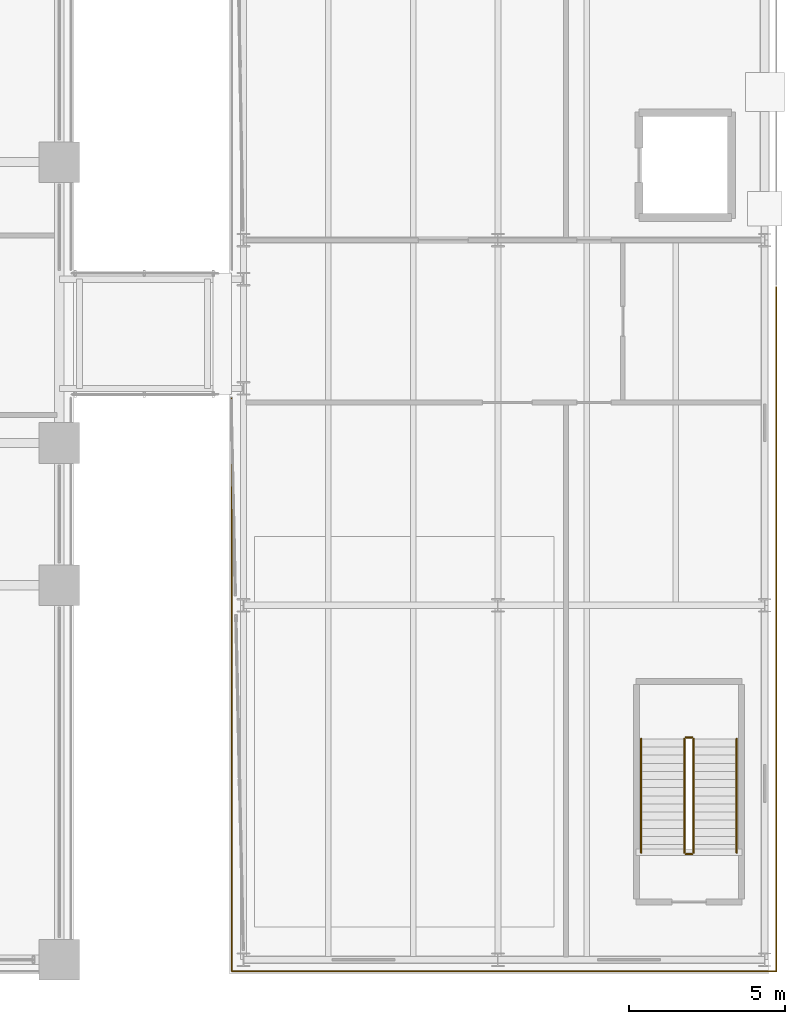
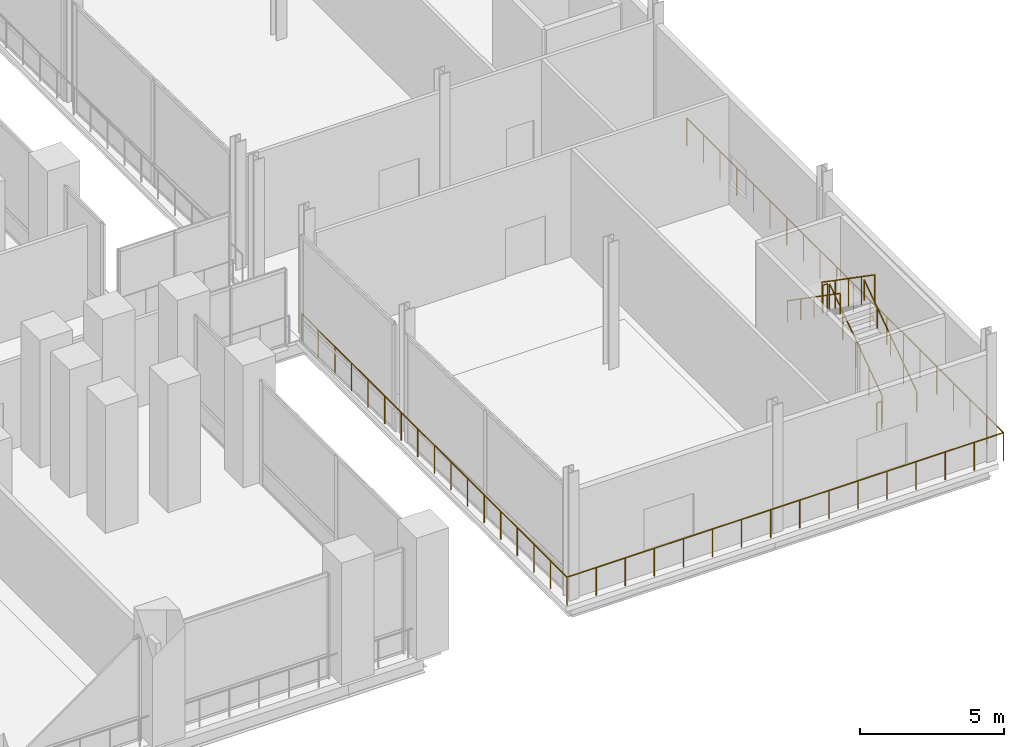
# One storey, part 29 of 30: 7 railings.
"""IFC4 building model written with IfcOpenShell, lengths in metres."""

from ifc_helpers import new_model, si_unit, direction, frame, origin, origin_2d, place, context, subcontext, project, spatial, circle, extrude, material, layer, layer_set, type_object, element, save


model = new_model("IFC4")

# Units and contexts
model_context = context("Model", 3, precision=1e-05, world=origin(), true_north=direction((0.0, 1.0)))
body_context = subcontext(model_context, "Body", "Model", "MODEL_VIEW")
ifc_project = project(units=[si_unit("LENGTHUNIT", "METRE"), si_unit("AREAUNIT", "SQUARE_METRE"), si_unit("VOLUMEUNIT", "CUBIC_METRE"), si_unit("PLANEANGLEUNIT", "RADIAN"), si_unit("MASSUNIT", "GRAM", prefix="KILO")], contexts=[model_context])

# Site, building, storey
site_placement = place(None, origin())
site = spatial("IfcSite", under=ifc_project, at=site_placement, CompositionType="ELEMENT")
building_placement = place(site_placement, origin())
building = spatial("IfcBuilding", under=site, at=building_placement, Name="Noeulbin Bourse Tower", CompositionType="ELEMENT")
storey_placement = place(building_placement, frame((0.0, 0.0, 16.60009765625)))
storey = spatial("IfcBuildingStorey", under=building, at=storey_placement, Name="L04", CompositionType="ELEMENT", Elevation=16.60009765625)

# Railings
ifc_material_1 = material(Name="Painted Tubular Steel S355", Category="steel")
ifc_layer_1 = layer(ifc_material_1, 0.048095703125)
ifc_layer_set_1 = layer_set([ifc_layer_1], Name="Painted Tubular Steel S355")
railing_type_1 = type_object("IfcRailingType", Name="RLG-STR-GRD", PredefinedType="GUARDRAIL", material=ifc_layer_set_1)
railing_1_placement = place(storey_placement, frame((74.8701171875, 6.8798828125, 0.179931640625)))
element("IfcRailing", 1, at=railing_1_placement, inside=storey, type_object=railing_type_1, Name="L04 MST-1 stair guard 1", PredefinedType="GUARDRAIL", context=body_context, shape_type="SweptSolid", body=[
    extrude(circle(Radius=0.02392578125, at=origin_2d()), frame((0.0, 0.0, 1.17578125), z_axis=(0.0, 0.82220013233, 0.56919850878), x_axis=(-1.0, 0.0, 0.0)), (0.0, 0.0, 1.0), 4.42724609375),
    extrude(circle(Radius=0.02099609375, at=origin_2d()), origin(), (0.0, 0.0, 1.0), 1.15185546875),
    extrude(circle(Radius=0.02099609375, at=origin_2d()), frame((0.0, 0.91015625, 0.6298828125)), (0.0, 0.0, 1.0), 1.15185546875),
    extrude(circle(Radius=0.02099609375, at=origin_2d()), frame((0.0, 1.820068359375, 1.260009765625)), (0.0, 0.0, 1.0), 1.15185546875),
    extrude(circle(Radius=0.02099609375, at=origin_2d()), frame((0.0, 2.72998046875, 1.89013671875)), (0.0, 0.0, 1.0), 1.15185546875),
    extrude(circle(Radius=0.02099609375, at=origin_2d()), frame((0.0, 3.64013671875, 2.52001953125)), (0.0, 0.0, 1.0), 1.15185546875),
])
railing_2_placement = place(storey_placement, frame((74.820068359375, 10.570068359375, 2.699951171875)))
element("IfcRailing", 2, at=railing_2_placement, inside=storey, type_object=railing_type_1, Name="L04 MST-1 stair guard 2", PredefinedType="GUARDRAIL", context=body_context, shape_type="SweptSolid", body=[
    extrude(circle(Radius=0.02392578125, at=origin_2d()), frame((0.0, 0.0, 1.17578125), z_axis=(-1.0, 0.0, 0.0), x_axis=(0.0, -1.0, 0.0)), (0.0, 0.0, 1.0), 0.199951171875),
    extrude(circle(Radius=0.02099609375, at=origin_2d()), origin(), (0.0, 0.0, 1.0), 1.15185546875),
    extrude(circle(Radius=0.02099609375, at=origin_2d()), frame((-0.199951171875, 0.0, 0.0)), (0.0, 0.0, 1.0), 1.15185546875),
])
railing_3_placement = place(storey_placement, frame((74.570068359375, 10.52001953125, 2.8798828125)))
element("IfcRailing", 3, at=railing_3_placement, inside=storey, type_object=railing_type_1, Name="L04 MST-1 stair guard 3", PredefinedType="GUARDRAIL", context=body_context, shape_type="SweptSolid", body=[
    extrude(circle(Radius=0.02392578125, at=origin_2d()), frame((0.0, 0.0, 1.17578125), z_axis=(0.0, -0.82220013233, 0.56919850878), x_axis=(1.0, 0.0, 0.0)), (0.0, 0.0, 1.0), 4.42724609375),
    extrude(circle(Radius=0.02099609375, at=origin_2d()), origin(), (0.0, 0.0, 1.0), 1.15185546875),
    extrude(circle(Radius=0.02099609375, at=origin_2d()), frame((0.0, -0.91015625, 0.6298828125)), (0.0, 0.0, 1.0), 1.15185546875),
    extrude(circle(Radius=0.02099609375, at=origin_2d()), frame((0.0, -1.820068359375, 1.260009765625)), (0.0, 0.0, 1.0), 1.15185546875),
    extrude(circle(Radius=0.02099609375, at=origin_2d()), frame((0.0, -2.72998046875, 1.89013671875)), (0.0, 0.0, 1.0), 1.15185546875),
    extrude(circle(Radius=0.02099609375, at=origin_2d()), frame((0.0, -3.64013671875, 2.52001953125)), (0.0, 0.0, 1.0), 1.15185546875),
])
railing_4_placement = place(storey_placement, frame((74.820068359375, 6.830078125, 0.0)))
element("IfcRailing", 4, at=railing_4_placement, inside=storey, type_object=railing_type_1, Name="L04 MST-1 stair guard 4", PredefinedType="GUARDRAIL", context=body_context, shape_type="SweptSolid", body=[
    extrude(circle(Radius=0.02392578125, at=origin_2d()), frame((0.0, 0.0, 1.17578125), z_axis=(-1.0, 0.0, 0.0), x_axis=(0.0, -1.0, 0.0)), (0.0, 0.0, 1.0), 0.199951171875),
    extrude(circle(Radius=0.02099609375, at=origin_2d()), origin(), (0.0, 0.0, 1.0), 1.15185546875),
    extrude(circle(Radius=0.02099609375, at=origin_2d()), frame((-0.199951171875, 0.0, 0.0)), (0.0, 0.0, 1.0), 1.15185546875),
])
ifc_material_2 = material(Name="Brushed Stainless Steel 316", Category="steel")
ifc_layer_2 = layer(ifc_material_2, 0.048095703125)
ifc_layer_set_2 = layer_set([ifc_layer_2], Name="Brushed Stainless Steel 316")
railing_type_2 = type_object("IfcRailingType", Name="RLG-STR-HND", PredefinedType="HANDRAIL", material=ifc_layer_set_2)
railing_5_placement = place(storey_placement, frame((76.25, 6.8798828125, 0.179931640625)))
element("IfcRailing", 5, at=railing_5_placement, inside=storey, type_object=railing_type_2, Name="L04 MST-1 stair handrail 1", PredefinedType="HANDRAIL", context=body_context, shape_type="SweptSolid", body=[
    extrude(circle(Radius=0.02392578125, at=origin_2d()), frame((0.0, 0.0, 0.8759765625), z_axis=(0.0, 0.82220013233, 0.56919850878), x_axis=(-1.0, 0.0, 0.0)), (0.0, 0.0, 1.0), 4.42724609375),
    extrude(circle(Radius=0.02099609375, at=origin_2d()), origin(), (0.0, 0.0, 1.0), 0.851806640625),
    extrude(circle(Radius=0.02099609375, at=origin_2d()), frame((0.0, 0.91015625, 0.6298828125)), (0.0, 0.0, 1.0), 0.851806640625),
    extrude(circle(Radius=0.02099609375, at=origin_2d()), frame((0.0, 1.820068359375, 1.260009765625)), (0.0, 0.0, 1.0), 0.851806640625),
    extrude(circle(Radius=0.02099609375, at=origin_2d()), frame((0.0, 2.72998046875, 1.89013671875)), (0.0, 0.0, 1.0), 0.851806640625),
    extrude(circle(Radius=0.02099609375, at=origin_2d()), frame((0.0, 3.64013671875, 2.52001953125)), (0.0, 0.0, 1.0), 0.851806640625),
])
railing_6_placement = place(storey_placement, frame((73.18994140625, 10.52001953125, 2.8798828125)))
element("IfcRailing", 6, at=railing_6_placement, inside=storey, type_object=railing_type_2, Name="L04 MST-1 stair handrail 2", PredefinedType="HANDRAIL", context=body_context, shape_type="SweptSolid", body=[
    extrude(circle(Radius=0.02392578125, at=origin_2d()), frame((0.0, 0.0, 0.8759765625), z_axis=(0.0, -0.82220013233, 0.56919850878), x_axis=(1.0, 0.0, 0.0)), (0.0, 0.0, 1.0), 4.42724609375),
    extrude(circle(Radius=0.02099609375, at=origin_2d()), origin(), (0.0, 0.0, 1.0), 0.851806640625),
    extrude(circle(Radius=0.02099609375, at=origin_2d()), frame((0.0, -0.91015625, 0.6298828125)), (0.0, 0.0, 1.0), 0.851806640625),
    extrude(circle(Radius=0.02099609375, at=origin_2d()), frame((0.0, -1.820068359375, 1.260009765625)), (0.0, 0.0, 1.0), 0.851806640625),
    extrude(circle(Radius=0.02099609375, at=origin_2d()), frame((0.0, -2.72998046875, 1.89013671875)), (0.0, 0.0, 1.0), 0.851806640625),
    extrude(circle(Radius=0.02099609375, at=origin_2d()), frame((0.0, -3.64013671875, 2.52001953125)), (0.0, 0.0, 1.0), 0.851806640625),
])
ifc_material_3 = material(Name="Stainless Steel 316 Post and Rail", Category="steel")
ifc_layer_3 = layer(ifc_material_3, 0.06005859375)
ifc_layer_set_3 = layer_set([ifc_layer_3], Name="Stainless Steel 316 Post and Rail")
railing_type_3 = type_object("IfcRailingType", Name="RLG-TER-1200", PredefinedType="GUARDRAIL", material=ifc_layer_set_3)
railing_7_placement = place(storey_placement, frame((60.080078125, 21.449951171875, 0.0)))
element("IfcRailing", 7, at=railing_7_placement, inside=storey, type_object=railing_type_3, Name="Market Perimeter Edge Guard L04-1", PredefinedType="GUARDRAIL", context=body_context, shape_type="SweptSolid", body=[
    extrude(circle(Radius=0.02392578125, at=origin_2d()), frame((0.0, 0.0, 1.17578125), z_axis=(0.0, -1.0, 0.0), x_axis=(1.0, 0.0, 0.0)), (0.0, 0.0, 1.0), 18.369873046875),
    extrude(circle(Radius=0.02392578125, at=origin_2d()), frame((0.0, -18.369873046875, 1.17578125), z_axis=(1.0, 0.0, 0.0), x_axis=(0.0, 1.0, 0.0)), (0.0, 0.0, 1.0), 17.43994140625),
    extrude(circle(Radius=0.02392578125, at=origin_2d()), frame((17.43994140625, -18.369873046875, 1.17578125), z_axis=(0.0, 1.0, 0.0), x_axis=(-1.0, 0.0, 0.0)), (0.0, 0.0, 1.0), 21.919921875),
    extrude(circle(Radius=0.02099609375, at=origin_2d()), origin(), (0.0, 0.0, 1.0), 1.15185546875),
    extrude(circle(Radius=0.02099609375, at=origin_2d()), frame((0.0, -1.148193359375, 0.0)), (0.0, 0.0, 1.0), 1.15185546875),
    extrude(circle(Radius=0.02099609375, at=origin_2d()), frame((0.0, -2.296142578125, 0.0)), (0.0, 0.0, 1.0), 1.15185546875),
    extrude(circle(Radius=0.02099609375, at=origin_2d()), frame((0.0, -3.4443359375, 0.0)), (0.0, 0.0, 1.0), 1.15185546875),
    extrude(circle(Radius=0.02099609375, at=origin_2d()), frame((0.0, -4.592529296875, 0.0)), (0.0, 0.0, 1.0), 1.15185546875),
    extrude(circle(Radius=0.02099609375, at=origin_2d()), frame((0.0, -5.740478515625, 0.0)), (0.0, 0.0, 1.0), 1.15185546875),
    extrude(circle(Radius=0.02099609375, at=origin_2d()), frame((0.0, -6.888671875, 0.0)), (0.0, 0.0, 1.0), 1.15185546875),
    extrude(circle(Radius=0.02099609375, at=origin_2d()), frame((0.0, -8.036865234375, 0.0)), (0.0, 0.0, 1.0), 1.15185546875),
    extrude(circle(Radius=0.02099609375, at=origin_2d()), frame((0.0, -9.18505859375, 0.0)), (0.0, 0.0, 1.0), 1.15185546875),
    extrude(circle(Radius=0.02099609375, at=origin_2d()), frame((0.0, -10.3330078125, 0.0)), (0.0, 0.0, 1.0), 1.15185546875),
    extrude(circle(Radius=0.02099609375, at=origin_2d()), frame((0.0, -11.481201171875, 0.0)), (0.0, 0.0, 1.0), 1.15185546875),
    extrude(circle(Radius=0.02099609375, at=origin_2d()), frame((0.0, -12.62939453125, 0.0)), (0.0, 0.0, 1.0), 1.15185546875),
    extrude(circle(Radius=0.02099609375, at=origin_2d()), frame((0.0, -13.77734375, 0.0)), (0.0, 0.0, 1.0), 1.15185546875),
    extrude(circle(Radius=0.02099609375, at=origin_2d()), frame((0.0, -14.925537109375, 0.0)), (0.0, 0.0, 1.0), 1.15185546875),
    extrude(circle(Radius=0.02099609375, at=origin_2d()), frame((0.0, -16.07373046875, 0.0)), (0.0, 0.0, 1.0), 1.15185546875),
    extrude(circle(Radius=0.02099609375, at=origin_2d()), frame((0.0, -17.2216796875, 0.0)), (0.0, 0.0, 1.0), 1.15185546875),
    extrude(circle(Radius=0.02099609375, at=origin_2d()), frame((0.0, -18.369873046875, 0.0)), (0.0, 0.0, 1.0), 1.15185546875),
    extrude(circle(Radius=0.02099609375, at=origin_2d()), frame((1.16259765625, -18.369873046875, 0.0)), (0.0, 0.0, 1.0), 1.15185546875),
    extrude(circle(Radius=0.02099609375, at=origin_2d()), frame((2.325439453125, -18.369873046875, 0.0)), (0.0, 0.0, 1.0), 1.15185546875),
    extrude(circle(Radius=0.02099609375, at=origin_2d()), frame((3.488037109375, -18.369873046875, 0.0)), (0.0, 0.0, 1.0), 1.15185546875),
    extrude(circle(Radius=0.02099609375, at=origin_2d()), frame((4.650634765625, -18.369873046875, 0.0)), (0.0, 0.0, 1.0), 1.15185546875),
    extrude(circle(Radius=0.02099609375, at=origin_2d()), frame((5.813232421875, -18.369873046875, 0.0)), (0.0, 0.0, 1.0), 1.15185546875),
    extrude(circle(Radius=0.02099609375, at=origin_2d()), frame((6.97607421875, -18.369873046875, 0.0)), (0.0, 0.0, 1.0), 1.15185546875),
    extrude(circle(Radius=0.02099609375, at=origin_2d()), frame((8.138671875, -18.369873046875, 0.0)), (0.0, 0.0, 1.0), 1.15185546875),
    extrude(circle(Radius=0.02099609375, at=origin_2d()), frame((9.30126953125, -18.369873046875, 0.0)), (0.0, 0.0, 1.0), 1.15185546875),
    extrude(circle(Radius=0.02099609375, at=origin_2d()), frame((10.4638671875, -18.369873046875, 0.0)), (0.0, 0.0, 1.0), 1.15185546875),
    extrude(circle(Radius=0.02099609375, at=origin_2d()), frame((11.626708984375, -18.369873046875, 0.0)), (0.0, 0.0, 1.0), 1.15185546875),
    extrude(circle(Radius=0.02099609375, at=origin_2d()), frame((12.789306640625, -18.369873046875, 0.0)), (0.0, 0.0, 1.0), 1.15185546875),
    extrude(circle(Radius=0.02099609375, at=origin_2d()), frame((13.951904296875, -18.369873046875, 0.0)), (0.0, 0.0, 1.0), 1.15185546875),
    extrude(circle(Radius=0.02099609375, at=origin_2d()), frame((15.114501953125, -18.369873046875, 0.0)), (0.0, 0.0, 1.0), 1.15185546875),
    extrude(circle(Radius=0.02099609375, at=origin_2d()), frame((16.27734375, -18.369873046875, 0.0)), (0.0, 0.0, 1.0), 1.15185546875),
    extrude(circle(Radius=0.02099609375, at=origin_2d()), frame((17.43994140625, -18.369873046875, 0.0)), (0.0, 0.0, 1.0), 1.15185546875),
    extrude(circle(Radius=0.02099609375, at=origin_2d()), frame((17.43994140625, -17.21630859375, 0.0)), (0.0, 0.0, 1.0), 1.15185546875),
    extrude(circle(Radius=0.02099609375, at=origin_2d()), frame((17.43994140625, -16.0625, 0.0)), (0.0, 0.0, 1.0), 1.15185546875),
    extrude(circle(Radius=0.02099609375, at=origin_2d()), frame((17.43994140625, -14.908935546875, 0.0)), (0.0, 0.0, 1.0), 1.15185546875),
    extrude(circle(Radius=0.02099609375, at=origin_2d()), frame((17.43994140625, -13.755126953125, 0.0)), (0.0, 0.0, 1.0), 1.15185546875),
    extrude(circle(Radius=0.02099609375, at=origin_2d()), frame((17.43994140625, -12.6015625, 0.0)), (0.0, 0.0, 1.0), 1.15185546875),
    extrude(circle(Radius=0.02099609375, at=origin_2d()), frame((17.43994140625, -11.44775390625, 0.0)), (0.0, 0.0, 1.0), 1.15185546875),
    extrude(circle(Radius=0.02099609375, at=origin_2d()), frame((17.43994140625, -10.294189453125, 0.0)), (0.0, 0.0, 1.0), 1.15185546875),
    extrude(circle(Radius=0.02099609375, at=origin_2d()), frame((17.43994140625, -9.140380859375, 0.0)), (0.0, 0.0, 1.0), 1.15185546875),
    extrude(circle(Radius=0.02099609375, at=origin_2d()), frame((17.43994140625, -7.98681640625, 0.0)), (0.0, 0.0, 1.0), 1.15185546875),
    extrude(circle(Radius=0.02099609375, at=origin_2d()), frame((17.43994140625, -6.8330078125, 0.0)), (0.0, 0.0, 1.0), 1.15185546875),
    extrude(circle(Radius=0.02099609375, at=origin_2d()), frame((17.43994140625, -5.679443359375, 0.0)), (0.0, 0.0, 1.0), 1.15185546875),
    extrude(circle(Radius=0.02099609375, at=origin_2d()), frame((17.43994140625, -4.525634765625, 0.0)), (0.0, 0.0, 1.0), 1.15185546875),
    extrude(circle(Radius=0.02099609375, at=origin_2d()), frame((17.43994140625, -3.3720703125, 0.0)), (0.0, 0.0, 1.0), 1.15185546875),
    extrude(circle(Radius=0.02099609375, at=origin_2d()), frame((17.43994140625, -2.21826171875, 0.0)), (0.0, 0.0, 1.0), 1.15185546875),
    extrude(circle(Radius=0.02099609375, at=origin_2d()), frame((17.43994140625, -1.064697265625, 0.0)), (0.0, 0.0, 1.0), 1.15185546875),
    extrude(circle(Radius=0.02099609375, at=origin_2d()), frame((17.43994140625, 0.089111328125, 0.0)), (0.0, 0.0, 1.0), 1.15185546875),
    extrude(circle(Radius=0.02099609375, at=origin_2d()), frame((17.43994140625, 1.24267578125, 0.0)), (0.0, 0.0, 1.0), 1.15185546875),
    extrude(circle(Radius=0.02099609375, at=origin_2d()), frame((17.43994140625, 2.396484375, 0.0)), (0.0, 0.0, 1.0), 1.15185546875),
    extrude(circle(Radius=0.02099609375, at=origin_2d()), frame((17.43994140625, 3.550048828125, 0.0)), (0.0, 0.0, 1.0), 1.15185546875),
])

save(model, "model.ifc")
